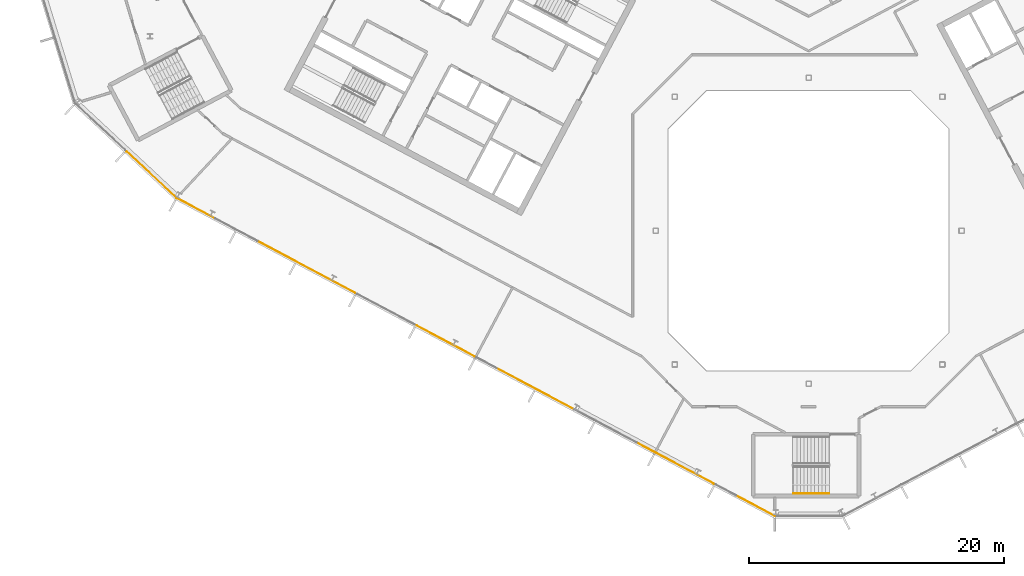
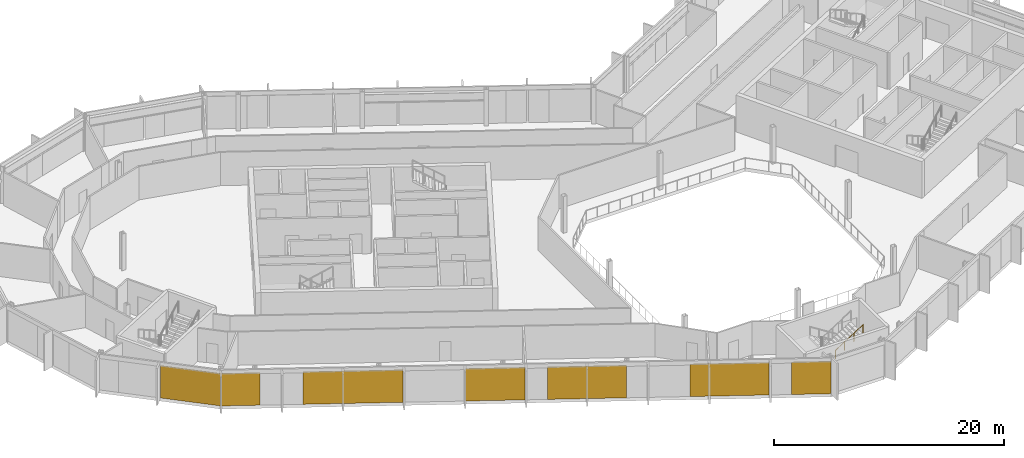
# One storey, part 19 of 26: 7 coverings, 1 railing, 2 elements without a shape of their own.
"""IFC4 building model written with IfcOpenShell, lengths in metres."""

from ifc_helpers import new_model, si_unit, direction, frame, origin, origin_2d, place, context, subcontext, project, spatial, polyline, rectangle, outline, extrude, material, layer, layer_set, type_object, element, aggregate, save


model = new_model("IFC4")

# Units and contexts
model_context = context("Model", 3, precision=1e-05, world=origin(), true_north=direction((0.0, 1.0)))
body_context = subcontext(model_context, "Body", "Model", "MODEL_VIEW")
ifc_project = project(units=[si_unit("LENGTHUNIT", "METRE"), si_unit("AREAUNIT", "SQUARE_METRE"), si_unit("VOLUMEUNIT", "CUBIC_METRE"), si_unit("PLANEANGLEUNIT", "RADIAN"), si_unit("MASSUNIT", "GRAM", prefix="KILO")], contexts=[model_context])

# Site, building, storey
site_placement = place(None, origin())
site = spatial("IfcSite", under=ifc_project, at=site_placement, CompositionType="ELEMENT")
building_placement = place(site_placement, origin())
building = spatial("IfcBuilding", under=site, at=building_placement, Name="Cormorant Relay Tower", CompositionType="ELEMENT")
storey_placement = place(building_placement, frame((0.0, 0.0, 293.10009765625)))
storey = spatial("IfcBuildingStorey", under=building, at=storey_placement, Name="L66", CompositionType="ELEMENT", Elevation=293.10009765625)

# Curtain wall, covering
ifc_material_1 = material(Name="Aluminium 6063-T6 anodised bronze", Category="aluminium")
ifc_layer_1 = layer(ifc_material_1, 0.199951171875)
ifc_layer_set_1 = layer_set([ifc_layer_1], Name="CW1 unitised bronze curtain wall with vertical fins")
curtain_wall_type = type_object("IfcCurtainWallType", Name="CW1 unitised bronze curtain wall with vertical fins", PredefinedType="NOTDEFINED", material=ifc_layer_set_1)
curtain_wall_1_placement = place(storey_placement, origin())
curtain_wall_1 = element("IfcCurtainWall", 1, at=curtain_wall_1_placement, inside=storey, type_object=curtain_wall_type, Name="CW1 curtain wall 15", PredefinedType="NOTDEFINED")
ifc_material_2 = material(Name="Pale bronze anodised aluminium insulated panel", Category="aluminium")
ifc_layer_2 = layer(ifc_material_2, 0.0400390625)
ifc_layer_set_2 = layer_set([ifc_layer_2], Name="CW1 pale bronze insulated panel 40")
covering_type = type_object("IfcCoveringType", Name="CW1 pale bronze insulated panel 40", PredefinedType="CLADDING", material=ifc_layer_set_2)
covering_1_placement = place(storey_placement, frame((-51.565185546875, 4.3974609375, 0.0), z_axis=(0.0, 0.0, 1.0), x_axis=(0.731353701619, -0.681998360062, 0.0)))
covering_1 = element("IfcCovering", 2, at=covering_1_placement, type_object=covering_type, Name="CW1 panel S02", PredefinedType="CLADDING", context=body_context, shape_type="SweptSolid", body=[
    extrude(rectangle(XDim=5.360107421875, YDim=0.0400390625, at=origin_2d()), origin(), (0.0, 0.0, 1.0), 3.449951171875),
])
aggregate(curtain_wall_1, [covering_1])

# Curtain wall, coverings
curtain_wall_2_placement = place(storey_placement, origin())
curtain_wall_2 = element("IfcCurtainWall", 3, at=curtain_wall_2_placement, inside=storey, type_object=curtain_wall_type, Name="CW1 curtain wall 16", PredefinedType="NOTDEFINED")
covering_2_placement = place(storey_placement, frame((-48.048583984375, 1.7412109375, 0.0), z_axis=(0.0, 0.0, 1.0), x_axis=(0.882947592859, -0.469471562786, 0.0)))
covering_2 = element("IfcCovering", 4, at=covering_2_placement, type_object=covering_type, Name="CW1 panel S00", PredefinedType="CLADDING", context=body_context, shape_type="SweptSolid", body=[
    extrude(rectangle(XDim=3.36669921875, YDim=0.0400390625, at=origin_2d()), origin(), (0.0, 0.0, 1.0), 3.449951171875),
])
covering_3_placement = place(storey_placement, frame((-39.417724609375, -2.847900390625, 0.0), z_axis=(0.0, 0.0, 1.0), x_axis=(0.882947592859, -0.469471562786, 0.0)))
covering_3 = element("IfcCovering", 5, at=covering_3_placement, type_object=covering_type, Name="CW1 panel S03", PredefinedType="CLADDING", context=body_context, shape_type="SweptSolid", body=[
    extrude(rectangle(XDim=8.68310546875, YDim=0.0400390625, at=origin_2d()), origin(), (0.0, 0.0, 1.0), 3.449951171875),
])
covering_4_placement = place(storey_placement, frame((-28.476806640625, -8.665283203125, 0.0), z_axis=(0.0, 0.0, 1.0), x_axis=(0.882947592859, -0.469471562786, 0.0)))
covering_4 = element("IfcCovering", 6, at=covering_4_placement, type_object=covering_type, Name="CW1 panel S05", PredefinedType="CLADDING", context=body_context, shape_type="SweptSolid", body=[
    extrude(rectangle(XDim=5.16650390625, YDim=0.0400390625, at=origin_2d()), origin(), (0.0, 0.0, 1.0), 3.449951171875),
])
covering_5_placement = place(storey_placement, frame((-21.435302734375, -12.4091796875, 0.0), z_axis=(0.0, 0.0, 1.0), x_axis=(0.882947592859, -0.469471562786, 0.0)))
covering_5 = element("IfcCovering", 7, at=covering_5_placement, type_object=covering_type, Name="CW1 panel S07", PredefinedType="CLADDING", context=body_context, shape_type="SweptSolid", body=[
    extrude(rectangle(XDim=6.88330078125, YDim=0.0400390625, at=origin_2d()), origin(), (0.0, 0.0, 1.0), 3.449951171875),
])
covering_6_placement = place(storey_placement, frame((-10.45751953125, -18.246337890625, 0.0), z_axis=(0.0, 0.0, 1.0), x_axis=(0.882947592859, -0.469471562786, 0.0)))
covering_6 = element("IfcCovering", 8, at=covering_6_placement, type_object=covering_type, Name="CW1 panel S10", PredefinedType="CLADDING", context=body_context, shape_type="SweptSolid", body=[
    extrude(rectangle(XDim=6.88330078125, YDim=0.0400390625, at=origin_2d()), origin(), (0.0, 0.0, 1.0), 3.449951171875),
])
covering_7_placement = place(storey_placement, frame((-4.177490234375, -21.58544921875, 0.0), z_axis=(0.0, 0.0, 1.0), x_axis=(0.882947592859, -0.469471562786, 0.0)))
covering_7 = element("IfcCovering", 9, at=covering_7_placement, type_object=covering_type, Name="CW1 panel S12", PredefinedType="CLADDING", context=body_context, shape_type="SweptSolid", body=[
    extrude(rectangle(XDim=3.441650390625, YDim=0.0400390625, at=origin_2d()), origin(), (0.0, 0.0, 1.0), 3.449951171875),
])
aggregate(curtain_wall_2, [covering_2, covering_3, covering_4, covering_5, covering_6, covering_7])

# Railing
ifc_material_3 = material(Name="Steel ASTM A572 Grade 50 (Fy 345 MPa)", Category="steel")
railing_type = type_object("IfcRailingType", Name="Stair handrail 900", PredefinedType="HANDRAIL", material=ifc_material_3)
railing_placement = place(storey_placement, frame((-1.199951171875, -20.625, 2.127197265625)))
element("IfcRailing", 10, at=railing_placement, inside=storey, type_object=railing_type, Name="L66 RK1 stair handrail 2", PredefinedType="HANDRAIL", context=body_context, shape_type="SweptSolid", body=[
    extrude(outline(polyline([(0.022216796875, 0.00927734375), (0.00927734375, 0.022216796875), (-0.00927734375, 0.022216796875), (-0.022216796875, 0.00927734375), (-0.022216796875, -0.00927734375), (-0.00927734375, -0.022216796875), (0.00927734375, -0.022216796875), (0.022216796875, -0.00927734375), (0.022216796875, 0.00927734375)])), frame((0.0, 0.0, 0.8759765625), z_axis=(0.844908973607, 0.0, 0.534910110503), x_axis=(0.0, 1.0, 0.0)), (0.0, 0.0, 1.0), 3.31396484375),
    extrude(outline(polyline([(0.019287109375, 0.008056640625), (0.008056640625, 0.019287109375), (-0.008056640625, 0.019287109375), (-0.019287109375, 0.008056640625), (-0.019287109375, -0.008056640625), (-0.008056640625, -0.019287109375), (0.008056640625, -0.019287109375), (0.019287109375, -0.008056640625), (0.019287109375, 0.008056640625)])), origin(), (0.0, 0.0, 1.0), 0.851806640625),
    extrude(outline(polyline([(0.019287109375, 0.008056640625), (0.008056640625, 0.019287109375), (-0.008056640625, 0.019287109375), (-0.019287109375, 0.008056640625), (-0.019287109375, -0.008056640625), (-0.008056640625, -0.019287109375), (0.008056640625, -0.019287109375), (0.019287109375, -0.008056640625), (0.019287109375, 0.008056640625)])), frame((0.933349609375, 0.0, 0.5908203125)), (0.0, 0.0, 1.0), 0.851806640625),
    extrude(outline(polyline([(0.019287109375, 0.008056640625), (0.008056640625, 0.019287109375), (-0.008056640625, 0.019287109375), (-0.019287109375, 0.008056640625), (-0.019287109375, -0.008056640625), (-0.008056640625, -0.019287109375), (0.008056640625, -0.019287109375), (0.019287109375, -0.008056640625), (0.019287109375, 0.008056640625)])), frame((1.86669921875, 0.0, 1.181884765625)), (0.0, 0.0, 1.0), 0.851806640625),
    extrude(outline(polyline([(0.019287109375, 0.008056640625), (0.008056640625, 0.019287109375), (-0.008056640625, 0.019287109375), (-0.019287109375, 0.008056640625), (-0.019287109375, -0.008056640625), (-0.008056640625, -0.019287109375), (0.008056640625, -0.019287109375), (0.019287109375, -0.008056640625), (0.019287109375, 0.008056640625)])), frame((2.800048828125, 0.0, 1.772705078125)), (0.0, 0.0, 1.0), 0.851806640625),
])

save(model, "model.ifc")
